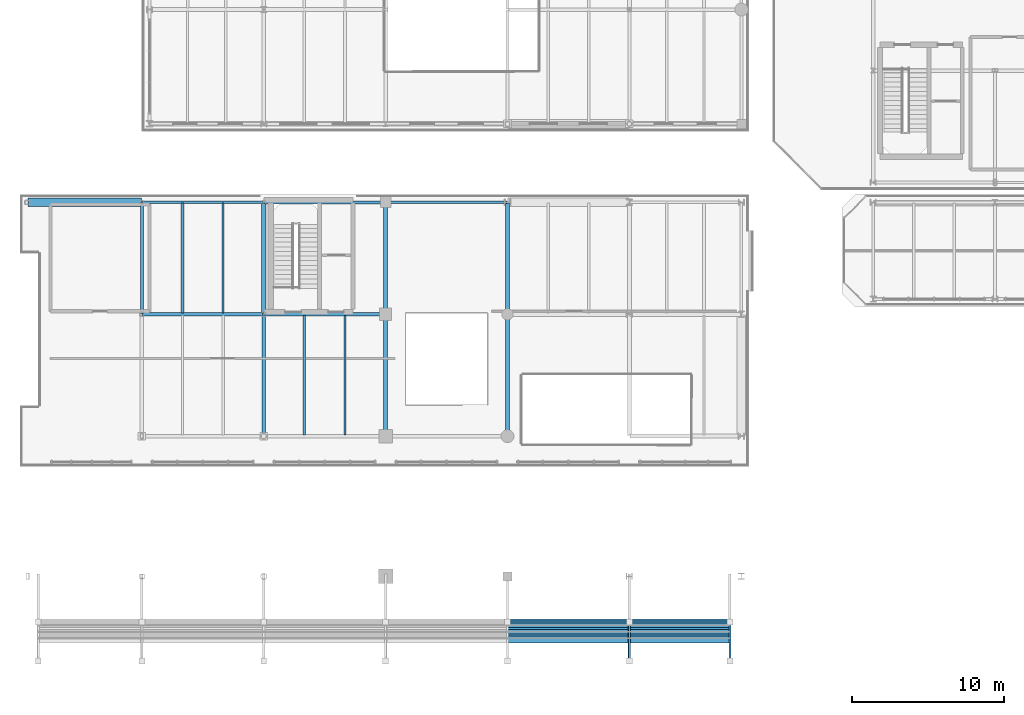
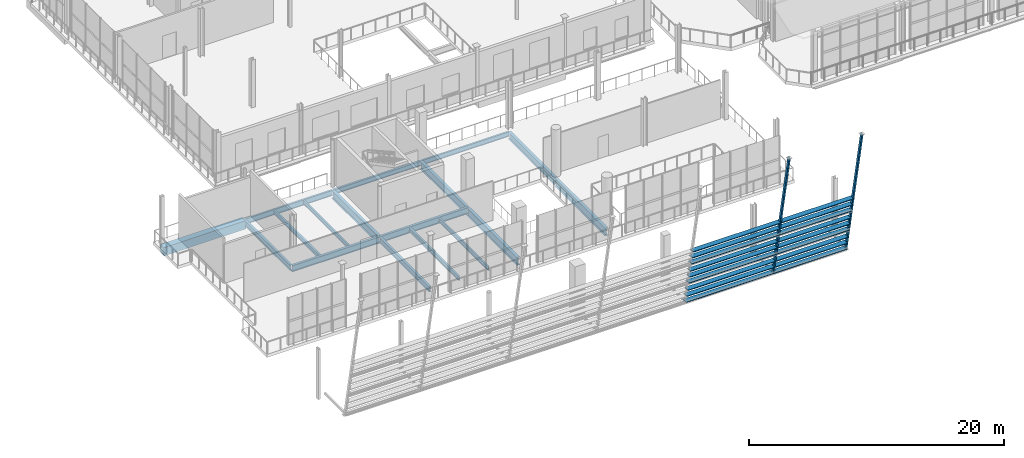
# One storey, part 31 of 93: 20 members, 17 beams.
"""IFC4 building model written with IfcOpenShell, lengths in metres."""

from ifc_helpers import new_model, si_unit, direction, frame, origin, origin_2d, place, context, subcontext, project, spatial, rectangle, hollow_rectangle, i_section, extrude, material, material_profile, profile_set, type_object, element, save


model = new_model("IFC4")

# Units and contexts
model_context = context("Model", 3, precision=1e-05, world=origin(), true_north=direction((0.0, 1.0)))
body_context = subcontext(model_context, "Body", "Model", "MODEL_VIEW")
ifc_project = project(units=[si_unit("LENGTHUNIT", "METRE"), si_unit("AREAUNIT", "SQUARE_METRE"), si_unit("VOLUMEUNIT", "CUBIC_METRE"), si_unit("PLANEANGLEUNIT", "RADIAN"), si_unit("MASSUNIT", "GRAM", prefix="KILO")], contexts=[model_context])

# Site, building, storey
site_placement = place(None, origin())
site = spatial("IfcSite", under=ifc_project, at=site_placement, CompositionType="ELEMENT")
building_placement = place(site_placement, origin())
building = spatial("IfcBuilding", under=site, at=building_placement, Name="Brisemont Oceanarium", CompositionType="ELEMENT")
storey_placement = place(building_placement, frame((0.0, 0.0, 5.39990234375)))
storey = spatial("IfcBuildingStorey", under=building, at=storey_placement, Name="L01", CompositionType="ELEMENT", Elevation=5.39990234375)

# Beams
ifc_material_1 = material(Name="Concrete C40/50", Category="concrete")
ifc_material_profile_1 = material_profile(ifc_material_1, rectangle(XDim=0.550048828125, YDim=0.800048828125, at=origin_2d()), Name="RC-BM-550X800")
ifc_profile_set_1 = profile_set([ifc_material_profile_1], Name="Concrete C40/50")
beam_type_1 = type_object("IfcBeamType", Name="BM-RC550X800", PredefinedType="SPANDREL", material=ifc_profile_set_1)
beam_1_placement = place(storey_placement, frame((8.5400390625, 31.35009765625, -0.699951171875), z_axis=(1.0, 0.0, 0.0), x_axis=(0.0, 1.0, 0.0)))
element("IfcBeam", 1, at=beam_1_placement, inside=storey, type_object=beam_type_1, Name="V2 L01 EW girder", PredefinedType="SPANDREL", context=body_context, shape_type="SweptSolid", body=[
    extrude(rectangle(XDim=0.550048828125, YDim=0.800048828125, at=origin_2d()), origin(), (0.0, 0.0, 1.0), 7.419921875),
])
ifc_material_2 = material(Name="Structural Steel ASTM A992 Gr.50", Category="steel")
ifc_material_profile_2 = material_profile(ifc_material_2, i_section(OverallWidth=0.139892578125, OverallDepth=0.39892578125, WebThickness=0.00634765625, FlangeThickness=0.0087890625, FilletRadius=0.010009765625, at=origin_2d()), Name="W16X26")
ifc_profile_set_2 = profile_set([ifc_material_profile_2], Name="Structural Steel ASTM A992 Gr.50")
beam_type_2 = type_object("IfcBeamType", Name="BM-W16X26", PredefinedType="JOIST", material=ifc_profile_set_2)
beam_2_placement = place(storey_placement, frame((21.333251953125, 24.090087890625, -0.49951171875), z_axis=(0.0, 1.0, 0.0), x_axis=(-1.0, 0.0, 0.0)))
element("IfcBeam", 2, at=beam_2_placement, inside=storey, type_object=beam_type_2, Name="V2 L01 secondary floor beam", PredefinedType="JOIST", context=body_context, shape_type="SweptSolid", body=[
    extrude(i_section(OverallWidth=0.139892578125, OverallDepth=0.39892578125, WebThickness=0.00634765625, FlangeThickness=0.0087890625, FilletRadius=0.010009765625, at=origin_2d()), origin(), (0.0, 0.0, 1.0), 7.219970703125),
])
beam_3_placement = place(storey_placement, frame((29.333251953125, 16.090087890625, -0.49951171875), z_axis=(0.0, 1.0, 0.0), x_axis=(-1.0, 0.0, 0.0)))
element("IfcBeam", 3, at=beam_3_placement, inside=storey, type_object=beam_type_2, Name="V2 L01 secondary floor beam", PredefinedType="JOIST", context=body_context, shape_type="SweptSolid", body=[
    extrude(i_section(OverallWidth=0.139892578125, OverallDepth=0.39892578125, WebThickness=0.00634765625, FlangeThickness=0.0087890625, FilletRadius=0.010009765625, at=origin_2d()), origin(), (0.0, 0.0, 1.0), 7.81982421875),
])
ifc_material_3 = material(Name="Structural Steel ASTM A992 Gr.50", Category="steel")
ifc_material_profile_3 = material_profile(ifc_material_3, i_section(OverallWidth=0.177978515625, OverallDepth=0.404052734375, WebThickness=0.007568359375, FlangeThickness=0.010986328125, FilletRadius=0.010009765625, at=origin_2d()), Name="W16X36")
ifc_profile_set_3 = profile_set([ifc_material_profile_3], Name="Structural Steel ASTM A992 Gr.50")
beam_type_3 = type_object("IfcBeamType", Name="BM-W16X36", PredefinedType="JOIST", material=ifc_profile_set_3)
beam_4_placement = place(storey_placement, frame((18.666748046875, 24.090087890625, -0.501953125), z_axis=(0.0, 1.0, 0.0), x_axis=(-1.0, 0.0, 0.0)))
element("IfcBeam", 4, at=beam_4_placement, inside=storey, type_object=beam_type_3, Name="V2 L01 secondary floor beam", PredefinedType="JOIST", context=body_context, shape_type="SweptSolid", body=[
    extrude(i_section(OverallWidth=0.177978515625, OverallDepth=0.404052734375, WebThickness=0.007568359375, FlangeThickness=0.010986328125, FilletRadius=0.010009765625, at=origin_2d()), origin(), (0.0, 0.0, 1.0), 7.219970703125),
])
beam_5_placement = place(storey_placement, frame((26.666748046875, 16.090087890625, -0.501953125), z_axis=(0.0, 1.0, 0.0), x_axis=(-1.0, 0.0, 0.0)))
element("IfcBeam", 5, at=beam_5_placement, inside=storey, type_object=beam_type_3, Name="V2 L01 secondary floor beam", PredefinedType="JOIST", context=body_context, shape_type="SweptSolid", body=[
    extrude(i_section(OverallWidth=0.177978515625, OverallDepth=0.404052734375, WebThickness=0.007568359375, FlangeThickness=0.010986328125, FilletRadius=0.010009765625, at=origin_2d()), origin(), (0.0, 0.0, 1.0), 7.81982421875),
])
ifc_material_4 = material(Name="Structural Steel ASTM A992 Gr.50", Category="steel")
ifc_material_profile_4 = material_profile(ifc_material_4, i_section(OverallWidth=0.154052734375, OverallDepth=0.458984375, WebThickness=0.009033203125, FlangeThickness=0.015380859375, FilletRadius=0.010986328125, at=origin_2d()), Name="W18X46")
ifc_profile_set_4 = profile_set([ifc_material_profile_4], Name="Structural Steel ASTM A992 Gr.50")
beam_type_4 = type_object("IfcBeamType", Name="BM-W18X46", PredefinedType="SPANDREL", material=ifc_profile_set_4)
beam_6_placement = place(storey_placement, frame((32.0400390625, 31.35009765625, -0.529296875), z_axis=(1.0, 0.0, 0.0), x_axis=(0.0, 1.0, 0.0)))
element("IfcBeam", 6, at=beam_6_placement, inside=storey, type_object=beam_type_4, Name="V2 L01 EW girder", PredefinedType="SPANDREL", context=body_context, shape_type="SweptSolid", body=[
    extrude(i_section(OverallWidth=0.154052734375, OverallDepth=0.458984375, WebThickness=0.009033203125, FlangeThickness=0.015380859375, FilletRadius=0.010986328125, at=origin_2d()), origin(), (0.0, 0.0, 1.0), 7.919921875),
])
ifc_material_5 = material(Name="Structural Steel ASTM A992 Gr.50", Category="steel")
ifc_material_profile_5 = material_profile(ifc_material_5, i_section(OverallWidth=0.19091796875, OverallDepth=0.4599609375, WebThickness=0.010009765625, FlangeThickness=0.01611328125, FilletRadius=0.010986328125, at=origin_2d()), Name="W18X55")
ifc_profile_set_5 = profile_set([ifc_material_profile_5], Name="Structural Steel ASTM A992 Gr.50")
beam_type_5 = type_object("IfcBeamType", Name="BM-W18X55", PredefinedType="SPANDREL", material=ifc_profile_set_5)
beam_7_placement = place(storey_placement, frame((24.0400390625, 31.35009765625, -0.52978515625), z_axis=(1.0, 0.0, 0.0), x_axis=(0.0, 1.0, 0.0)))
element("IfcBeam", 7, at=beam_7_placement, inside=storey, type_object=beam_type_5, Name="V2 L01 EW girder", PredefinedType="SPANDREL", context=body_context, shape_type="SweptSolid", body=[
    extrude(i_section(OverallWidth=0.19091796875, OverallDepth=0.4599609375, WebThickness=0.010009765625, FlangeThickness=0.01611328125, FilletRadius=0.010986328125, at=origin_2d()), origin(), (0.0, 0.0, 1.0), 7.919921875),
])
ifc_material_6 = material(Name="Structural Steel ASTM A992 Gr.50", Category="steel")
ifc_material_profile_6 = material_profile(ifc_material_6, i_section(OverallWidth=0.166015625, OverallDepth=0.528076171875, WebThickness=0.009765625, FlangeThickness=0.013671875, FilletRadius=0.012939453125, at=origin_2d()), Name="W21X50")
ifc_profile_set_6 = profile_set([ifc_material_profile_6], Name="Structural Steel ASTM A992 Gr.50")
beam_type_6 = type_object("IfcBeamType", Name="BM-W21X50", PredefinedType="SPANDREL", material=ifc_profile_set_6)
beam_8_placement = place(storey_placement, frame((16.0400390625, 31.35009765625, -0.56396484375), z_axis=(1.0, 0.0, 0.0), x_axis=(0.0, 1.0, 0.0)))
element("IfcBeam", 8, at=beam_8_placement, inside=storey, type_object=beam_type_6, Name="V2 L01 EW girder", PredefinedType="SPANDREL", context=body_context, shape_type="SweptSolid", body=[
    extrude(i_section(OverallWidth=0.166015625, OverallDepth=0.528076171875, WebThickness=0.009765625, FlangeThickness=0.013671875, FilletRadius=0.012939453125, at=origin_2d()), origin(), (0.0, 0.0, 1.0), 7.919921875),
])
ifc_material_7 = material(Name="Structural Steel ASTM A992 Gr.50", Category="steel")
ifc_material_profile_7 = material_profile(ifc_material_7, i_section(OverallWidth=0.2099609375, OverallDepth=0.532958984375, WebThickness=0.01025390625, FlangeThickness=0.015625, FilletRadius=0.012939453125, at=origin_2d()), Name="W21X62")
ifc_profile_set_7 = profile_set([ifc_material_profile_7], Name="Structural Steel ASTM A992 Gr.50")
beam_type_7 = type_object("IfcBeamType", Name="BM-W21X62", PredefinedType="BEAM", material=ifc_profile_set_7)
beam_9_placement = place(storey_placement, frame((16.0, 24.0400390625, -0.56640625), z_axis=(0.0, 1.0, 0.0), x_axis=(-1.0, 0.0, 0.0)))
element("IfcBeam", 9, at=beam_9_placement, inside=storey, type_object=beam_type_7, Name="V2 L01 NS girder", PredefinedType="BEAM", context=body_context, shape_type="SweptSolid", body=[
    extrude(i_section(OverallWidth=0.2099609375, OverallDepth=0.532958984375, WebThickness=0.01025390625, FlangeThickness=0.015625, FilletRadius=0.012939453125, at=origin_2d()), origin(), (0.0, 0.0, 1.0), 7.27001953125),
])
beam_10_placement = place(storey_placement, frame((24.0, 16.0400390625, -0.56640625), z_axis=(0.0, 1.0, 0.0), x_axis=(-1.0, 0.0, 0.0)))
element("IfcBeam", 10, at=beam_10_placement, inside=storey, type_object=beam_type_7, Name="V2 L01 NS girder", PredefinedType="BEAM", context=body_context, shape_type="SweptSolid", body=[
    extrude(i_section(OverallWidth=0.2099609375, OverallDepth=0.532958984375, WebThickness=0.01025390625, FlangeThickness=0.015625, FilletRadius=0.012939453125, at=origin_2d()), origin(), (0.0, 0.0, 1.0), 7.919921875),
])
ifc_material_8 = material(Name="Structural Steel ASTM A992 Gr.50", Category="steel")
ifc_material_profile_8 = material_profile(ifc_material_8, i_section(OverallWidth=0.22802734375, OverallDepth=0.60205078125, WebThickness=0.010498046875, FlangeThickness=0.014892578125, FilletRadius=0.012939453125, at=origin_2d()), Name="W24X68")
ifc_profile_set_8 = profile_set([ifc_material_profile_8], Name="Structural Steel ASTM A992 Gr.50")
beam_type_8 = type_object("IfcBeamType", Name="BM-W24X68", PredefinedType="BEAM", material=ifc_profile_set_8)
beam_11_placement = place(storey_placement, frame((24.0400390625, 24.0, -0.600830078125), z_axis=(1.0, 0.0, 0.0), x_axis=(0.0, 1.0, 0.0)))
element("IfcBeam", 11, at=beam_11_placement, inside=storey, type_object=beam_type_8, Name="V2 L01 EW girder", PredefinedType="BEAM", context=body_context, shape_type="SweptSolid", body=[
    extrude(i_section(OverallWidth=0.22802734375, OverallDepth=0.60205078125, WebThickness=0.010498046875, FlangeThickness=0.014892578125, FilletRadius=0.012939453125, at=origin_2d()), origin(), (0.0, 0.0, 1.0), 7.919921875),
])
ifc_material_9 = material(Name="Structural Steel ASTM A992 Gr.50", Category="steel")
ifc_material_profile_9 = material_profile(ifc_material_9, i_section(OverallWidth=0.22802734375, OverallDepth=0.60791015625, WebThickness=0.01123046875, FlangeThickness=0.017333984375, FilletRadius=0.012939453125, at=origin_2d()), Name="W24X76")
ifc_profile_set_9 = profile_set([ifc_material_profile_9], Name="Structural Steel ASTM A992 Gr.50")
beam_type_9 = type_object("IfcBeamType", Name="BM-W24X76", PredefinedType="BEAM", material=ifc_profile_set_9)
beam_12_placement = place(storey_placement, frame((16.0400390625, 24.0, -0.60400390625), z_axis=(1.0, 0.0, 0.0), x_axis=(0.0, 1.0, 0.0)))
element("IfcBeam", 12, at=beam_12_placement, inside=storey, type_object=beam_type_9, Name="V2 L01 EW girder", PredefinedType="BEAM", context=body_context, shape_type="SweptSolid", body=[
    extrude(i_section(OverallWidth=0.22802734375, OverallDepth=0.60791015625, WebThickness=0.01123046875, FlangeThickness=0.017333984375, FilletRadius=0.012939453125, at=origin_2d()), origin(), (0.0, 0.0, 1.0), 7.919921875),
])
ifc_material_10 = material(Name="Structural Steel ASTM A992 Gr.50", Category="steel")
ifc_material_profile_10 = material_profile(ifc_material_10, i_section(OverallWidth=0.25390625, OverallDepth=0.68310546875, WebThickness=0.012451171875, FlangeThickness=0.018798828125, FilletRadius=0.014892578125, at=origin_2d()), Name="W27X94")
ifc_profile_set_10 = profile_set([ifc_material_profile_10], Name="Structural Steel ASTM A992 Gr.50")
beam_type_10 = type_object("IfcBeamType", Name="BM-W27X94", PredefinedType="BEAM", material=ifc_profile_set_10)
beam_13_placement = place(storey_placement, frame((40.0, 24.0400390625, -0.641357421875), z_axis=(0.0, 1.0, 0.0), x_axis=(-1.0, 0.0, 0.0)))
element("IfcBeam", 13, at=beam_13_placement, inside=storey, type_object=beam_type_10, Name="V2 L01 NS girder", PredefinedType="BEAM", context=body_context, shape_type="SweptSolid", body=[
    extrude(i_section(OverallWidth=0.25390625, OverallDepth=0.68310546875, WebThickness=0.012451171875, FlangeThickness=0.018798828125, FilletRadius=0.014892578125, at=origin_2d()), origin(), (0.0, 0.0, 1.0), 7.27001953125),
])
ifc_material_11 = material(Name="Structural Steel ASTM A992 Gr.50", Category="steel")
ifc_material_profile_11 = material_profile(ifc_material_11, i_section(OverallWidth=0.26708984375, OverallDepth=0.761962890625, WebThickness=0.014404296875, FlangeThickness=0.021484375, FilletRadius=0.01611328125, at=origin_2d()), Name="W30X116")
ifc_profile_set_11 = profile_set([ifc_material_profile_11], Name="Structural Steel ASTM A992 Gr.50")
beam_type_11 = type_object("IfcBeamType", Name="BM-W30X116", PredefinedType="BEAM", material=ifc_profile_set_11)
beam_14_placement = place(storey_placement, frame((24.0, 24.0400390625, -0.680908203125), z_axis=(0.0, 1.0, 0.0), x_axis=(-1.0, 0.0, 0.0)))
element("IfcBeam", 14, at=beam_14_placement, inside=storey, type_object=beam_type_11, Name="V2 L01 NS girder", PredefinedType="BEAM", context=body_context, shape_type="SweptSolid", body=[
    extrude(i_section(OverallWidth=0.26708984375, OverallDepth=0.761962890625, WebThickness=0.014404296875, FlangeThickness=0.021484375, FilletRadius=0.01611328125, at=origin_2d()), origin(), (0.0, 0.0, 1.0), 7.27001953125),
])
beam_15_placement = place(storey_placement, frame((32.0, 16.0400390625, -0.680908203125), z_axis=(0.0, 1.0, 0.0), x_axis=(-1.0, 0.0, 0.0)))
element("IfcBeam", 15, at=beam_15_placement, inside=storey, type_object=beam_type_11, Name="V2 L01 NS girder", PredefinedType="BEAM", context=body_context, shape_type="SweptSolid", body=[
    extrude(i_section(OverallWidth=0.26708984375, OverallDepth=0.761962890625, WebThickness=0.014404296875, FlangeThickness=0.021484375, FilletRadius=0.01611328125, at=origin_2d()), origin(), (0.0, 0.0, 1.0), 7.919921875),
])
ifc_material_12 = material(Name="Structural Steel ASTM A992 Gr.50", Category="steel")
ifc_material_profile_12 = material_profile(ifc_material_12, i_section(OverallWidth=0.264892578125, OverallDepth=0.7529296875, WebThickness=0.01318359375, FlangeThickness=0.01708984375, FilletRadius=0.01611328125, at=origin_2d()), Name="W30X99")
ifc_profile_set_12 = profile_set([ifc_material_profile_12], Name="Structural Steel ASTM A992 Gr.50")
beam_type_12 = type_object("IfcBeamType", Name="BM-W30X99", PredefinedType="BEAM", material=ifc_profile_set_12)
beam_16_placement = place(storey_placement, frame((32.0, 24.0400390625, -0.676513671875), z_axis=(0.0, 1.0, 0.0), x_axis=(-1.0, 0.0, 0.0)))
element("IfcBeam", 16, at=beam_16_placement, inside=storey, type_object=beam_type_12, Name="V2 L01 NS girder", PredefinedType="BEAM", context=body_context, shape_type="SweptSolid", body=[
    extrude(i_section(OverallWidth=0.264892578125, OverallDepth=0.7529296875, WebThickness=0.01318359375, FlangeThickness=0.01708984375, FilletRadius=0.01611328125, at=origin_2d()), origin(), (0.0, 0.0, 1.0), 7.27001953125),
])
beam_17_placement = place(storey_placement, frame((40.0, 16.0400390625, -0.676513671875), z_axis=(0.0, 1.0, 0.0), x_axis=(-1.0, 0.0, 0.0)))
element("IfcBeam", 17, at=beam_17_placement, inside=storey, type_object=beam_type_12, Name="V2 L01 NS girder", PredefinedType="BEAM", context=body_context, shape_type="SweptSolid", body=[
    extrude(i_section(OverallWidth=0.264892578125, OverallDepth=0.7529296875, WebThickness=0.01318359375, FlangeThickness=0.01708984375, FilletRadius=0.01611328125, at=origin_2d()), origin(), (0.0, 0.0, 1.0), 7.919921875),
])

# Members
ifc_material_13 = material(Name="Architectural Bronze-Anodized Cedar Composite")
ifc_material_profile_13 = material_profile(ifc_material_13, rectangle(XDim=0.47998046875, YDim=0.074951171875, at=origin_2d()), Name="LOUVRE-480X75")
ifc_profile_set_13 = profile_set([ifc_material_profile_13], Name="Architectural Bronze-Anodized Cedar Composite")
member_type_1 = type_object("IfcMemberType", Name="MEM-LV-480", PredefinedType="USERDEFINED", material=ifc_profile_set_13)
for number, where, z_axis, x_axis, name in (
    (18, (40.0, 3.773681640625, 0.130126953125), (1.0, 0.0, 0.0), (0.0, 1.0, 0.0), "V2 stepped horizontal louvre blade T1.5.1"),
    (19, (40.0, 3.641357421875, 0.780029296875), (1.0, 0.0, 0.0), (0.0, 1.0, 0.0), "V2 stepped horizontal louvre blade T1.5.2"),
    (20, (40.0, 3.509033203125, 1.43017578125), (1.0, 0.0, 0.0), (0.0, 1.0, 0.0), "V2 stepped horizontal louvre blade T1.5.3"),
):
    element("IfcMember", number, at=place(storey_placement, frame(where, z_axis=z_axis, x_axis=x_axis)), inside=storey, type_object=member_type_1, Name=name, ObjectType="LOUVRE_BLADE", PredefinedType="USERDEFINED", context=body_context, shape_type="SweptSolid", body=[
        extrude(rectangle(XDim=0.47998046875, YDim=0.074951171875, at=origin_2d()), origin(), (0.0, 0.0, 1.0), 8.0),
    ])
for number, where, z_axis, x_axis, name in (
    (21, (48.0, 3.773681640625, 0.130126953125), (1.0, 0.0, 0.0), (0.0, 1.0, 0.0), "V2 stepped horizontal louvre blade T1.6.1"),
    (22, (48.0, 3.641357421875, 0.780029296875), (1.0, 0.0, 0.0), (0.0, 1.0, 0.0), "V2 stepped horizontal louvre blade T1.6.2"),
    (23, (48.0, 3.509033203125, 1.43017578125), (1.0, 0.0, 0.0), (0.0, 1.0, 0.0), "V2 stepped horizontal louvre blade T1.6.3"),
):
    element("IfcMember", number, at=place(storey_placement, frame(where, z_axis=z_axis, x_axis=x_axis)), inside=storey, type_object=member_type_1, Name=name, ObjectType="LOUVRE_BLADE", PredefinedType="USERDEFINED", context=body_context, shape_type="SweptSolid", body=[
        extrude(rectangle(XDim=0.47998046875, YDim=0.074951171875, at=origin_2d()), origin(), (0.0, 0.0, 1.0), 6.60009765625),
    ])
for number, where, z_axis, x_axis, name in (
    (24, (40.0, 3.34619140625, 2.22998046875), (1.0, 0.0, 0.0), (0.0, 1.0, 0.0), "V2 stepped horizontal louvre blade T2.5.1"),
    (25, (40.0, 3.214111328125, 2.880126953125), (1.0, 0.0, 0.0), (0.0, 1.0, 0.0), "V2 stepped horizontal louvre blade T2.5.2"),
    (26, (40.0, 3.081787109375, 3.530029296875), (1.0, 0.0, 0.0), (0.0, 1.0, 0.0), "V2 stepped horizontal louvre blade T2.5.3"),
):
    element("IfcMember", number, at=place(storey_placement, frame(where, z_axis=z_axis, x_axis=x_axis)), inside=storey, type_object=member_type_1, Name=name, ObjectType="LOUVRE_BLADE", PredefinedType="USERDEFINED", context=body_context, shape_type="SweptSolid", body=[
        extrude(rectangle(XDim=0.47998046875, YDim=0.074951171875, at=origin_2d()), origin(), (0.0, 0.0, 1.0), 8.0),
    ])
for number, where, z_axis, x_axis, name in (
    (27, (48.0, 3.34619140625, 2.22998046875), (1.0, 0.0, 0.0), (0.0, 1.0, 0.0), "V2 stepped horizontal louvre blade T2.6.1"),
    (28, (48.0, 3.214111328125, 2.880126953125), (1.0, 0.0, 0.0), (0.0, 1.0, 0.0), "V2 stepped horizontal louvre blade T2.6.2"),
    (29, (48.0, 3.081787109375, 3.530029296875), (1.0, 0.0, 0.0), (0.0, 1.0, 0.0), "V2 stepped horizontal louvre blade T2.6.3"),
):
    element("IfcMember", number, at=place(storey_placement, frame(where, z_axis=z_axis, x_axis=x_axis)), inside=storey, type_object=member_type_1, Name=name, ObjectType="LOUVRE_BLADE", PredefinedType="USERDEFINED", context=body_context, shape_type="SweptSolid", body=[
        extrude(rectangle(XDim=0.47998046875, YDim=0.074951171875, at=origin_2d()), origin(), (0.0, 0.0, 1.0), 6.60009765625),
    ])
for number, where, z_axis, x_axis, name in (
    (30, (40.0, 2.919189453125, 4.330078125), (1.0, 0.0, 0.0), (0.0, 1.0, 0.0), "V2 stepped horizontal louvre blade T3.5.1"),
    (31, (40.0, 2.786865234375, 4.97998046875), (1.0, 0.0, 0.0), (0.0, 1.0, 0.0), "V2 stepped horizontal louvre blade T3.5.2"),
    (32, (40.0, 2.654541015625, 5.630126953125), (1.0, 0.0, 0.0), (0.0, 1.0, 0.0), "V2 stepped horizontal louvre blade T3.5.3"),
):
    element("IfcMember", number, at=place(storey_placement, frame(where, z_axis=z_axis, x_axis=x_axis)), inside=storey, type_object=member_type_1, Name=name, ObjectType="LOUVRE_BLADE", PredefinedType="USERDEFINED", context=body_context, shape_type="SweptSolid", body=[
        extrude(rectangle(XDim=0.47998046875, YDim=0.074951171875, at=origin_2d()), origin(), (0.0, 0.0, 1.0), 8.0),
    ])
for number, where, z_axis, x_axis, name in (
    (33, (48.0, 2.919189453125, 4.330078125), (1.0, 0.0, 0.0), (0.0, 1.0, 0.0), "V2 stepped horizontal louvre blade T3.6.1"),
    (34, (48.0, 2.786865234375, 4.97998046875), (1.0, 0.0, 0.0), (0.0, 1.0, 0.0), "V2 stepped horizontal louvre blade T3.6.2"),
    (35, (48.0, 2.654541015625, 5.630126953125), (1.0, 0.0, 0.0), (0.0, 1.0, 0.0), "V2 stepped horizontal louvre blade T3.6.3"),
):
    element("IfcMember", number, at=place(storey_placement, frame(where, z_axis=z_axis, x_axis=x_axis)), inside=storey, type_object=member_type_1, Name=name, ObjectType="LOUVRE_BLADE", PredefinedType="USERDEFINED", context=body_context, shape_type="SweptSolid", body=[
        extrude(rectangle(XDim=0.47998046875, YDim=0.074951171875, at=origin_2d()), origin(), (0.0, 0.0, 1.0), 6.60009765625),
    ])
ifc_material_14 = material(Name="Structural Steel ASTM A500 Gr.C", Category="steel")
ifc_material_profile_14 = material_profile(ifc_material_14, hollow_rectangle(XDim=0.152099609375, YDim=0.25390625, WallThickness=0.0087890625, InnerFilletRadius=0.009033203125, OuterFilletRadius=0.01806640625, at=origin_2d()), Name="HSS10X6X3/8")
ifc_profile_set_14 = profile_set([ifc_material_profile_14], Name="Structural Steel ASTM A500 Gr.C")
member_type_2 = type_object("IfcMemberType", Name="MEM-ST-HSS10X6", PredefinedType="STRUT", material=ifc_profile_set_14)
for number, where, z_axis, x_axis, name in (
    (36, (48.0, 3.800048828125, 0.0), (0.0, -0.199364777047, 0.97992534699), (1.0, 0.0, 0.0), "V2 inclined 11.5-deg louvre post S6"),
    (37, (54.60009765625, 3.800048828125, 0.0), (0.0, -0.199364777047, 0.97992534699), (1.0, 0.0, 0.0), "V2 inclined 11.5-deg louvre post S7"),
):
    element("IfcMember", number, at=place(storey_placement, frame(where, z_axis=z_axis, x_axis=x_axis)), inside=storey, type_object=member_type_2, Name=name, PredefinedType="STRUT", context=body_context, shape_type="SweptSolid", body=[
        extrude(hollow_rectangle(XDim=0.152099609375, YDim=0.25390625, WallThickness=0.0087890625, InnerFilletRadius=0.009033203125, OuterFilletRadius=0.01806640625, at=origin_2d()), origin(), (0.0, 0.0, 1.0), 12.858154296875),
    ])

save(model, "model.ifc")
